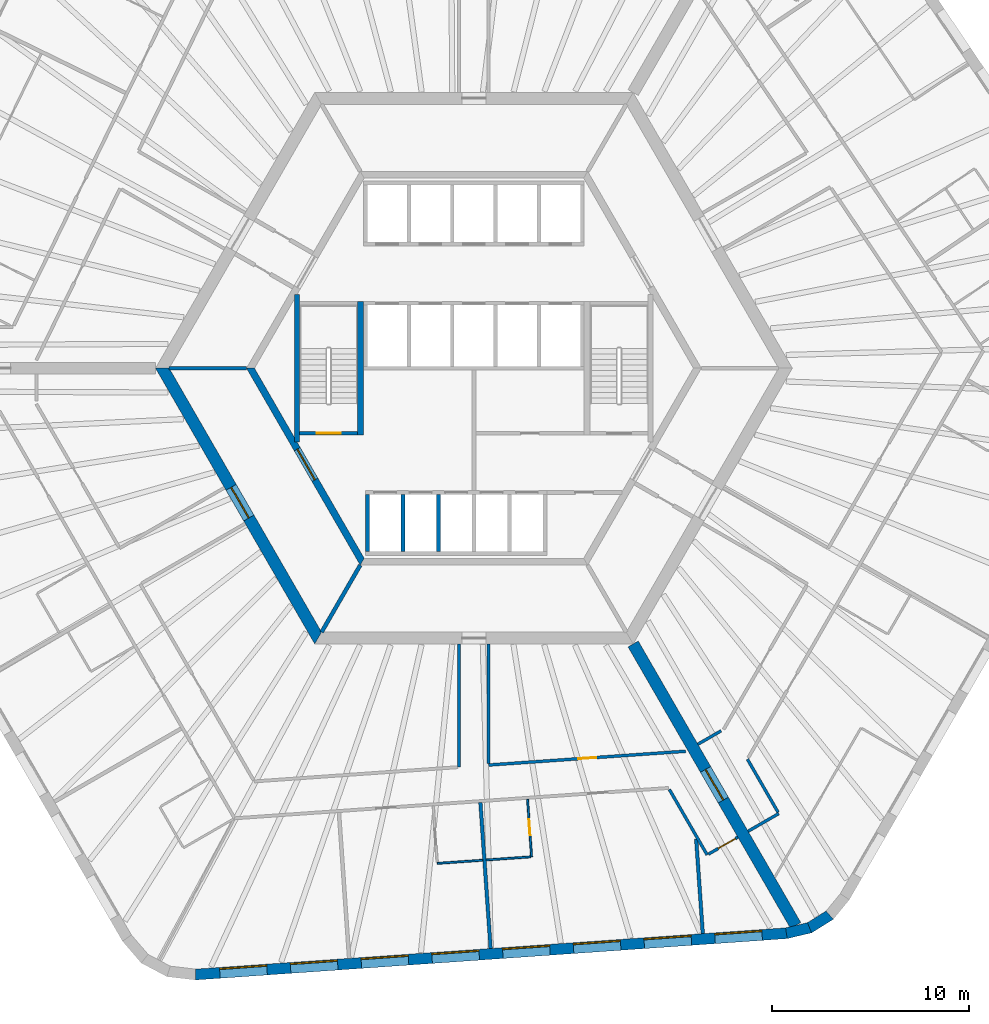
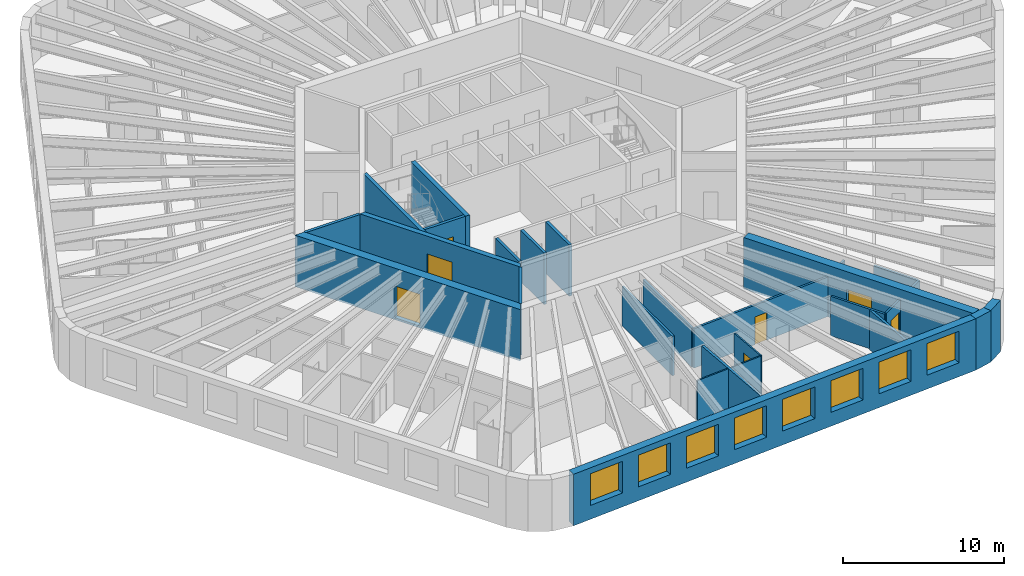
# One storey, part 4 of 12: 27 walls, 8 windows, 7 doors, 15 openings.
"""IFC4 building model written with IfcOpenShell, lengths in metres."""

from ifc_helpers import new_model, si_unit, direction, frame, frame_2d, origin, place, context, subcontext, project, spatial, polyline, rectangle, outline, extrude, material, layer, layer_set, type_object, element, fill, save


model = new_model("IFC4")

# Units and contexts
model_context = context("Model", 3, precision=1e-05, world=origin(), true_north=direction((0.0, 1.0)))
body_context = subcontext(model_context, "Body", "Model", "MODEL_VIEW")
ifc_project = project(units=[si_unit("LENGTHUNIT", "METRE"), si_unit("AREAUNIT", "SQUARE_METRE"), si_unit("VOLUMEUNIT", "CUBIC_METRE"), si_unit("PLANEANGLEUNIT", "RADIAN"), si_unit("MASSUNIT", "GRAM", prefix="KILO")], contexts=[model_context])

# Site, building, storey
site_placement = place(None, origin())
site = spatial("IfcSite", under=ifc_project, at=site_placement, CompositionType="ELEMENT")
building_placement = place(site_placement, origin())
building = spatial("IfcBuilding", under=site, at=building_placement, Name="Tarnside Tower", CompositionType="ELEMENT")
storey_placement = place(building_placement, frame((0.0, 0.0, 72.60009765625)))
storey = spatial("IfcBuildingStorey", under=building, at=storey_placement, Name="L15", CompositionType="ELEMENT", Elevation=72.60009765625)

# Wall
ifc_material_1 = material(Name="Gypsum board partition on steel studs", Category="steel")
ifc_layer_1 = layer(ifc_material_1, 0.10009765625)
ifc_layer_set_1 = layer_set([ifc_layer_1], Name="Bathroom wall 100")
wall_type_1 = type_object("IfcWallType", Name="Bathroom wall 100", PredefinedType="PARTITIONING", material=ifc_layer_set_1)
wall_1_placement = place(storey_placement, frame((0.4423828125, -24.97998046875, 0.0), z_axis=(0.0, 0.0, 1.0), x_axis=(-0.997563824095, -0.069759707979, 0.0)))
element("IfcWall", 1, at=wall_1_placement, inside=storey, type_object=wall_type_1, Name="Bathroom wall 04120", PredefinedType="PARTITIONING", context=body_context, shape_type="SweptSolid", body=[
    extrude(rectangle(XDim=2.309814453125, YDim=0.10009765625, at=frame_2d((1.15478515625, 0.0))), origin(), (0.0, 0.0, 1.0), 2.98779296875),
])

# Wall, opening, door
wall_2_placement = place(storey_placement, frame((2.722412109375, -21.888427734375, 0.0), z_axis=(0.0, 0.0, 1.0), x_axis=(0.069775971057, -0.997562686683, 0.0)))
wall_2 = element("IfcWall", 2, at=wall_2_placement, inside=storey, type_object=wall_type_1, Name="Bathroom wall 04124", PredefinedType="PARTITIONING", context=body_context, shape_type="SweptSolid", body=[
    extrude(rectangle(XDim=2.925048828125, YDim=0.10009765625, at=frame_2d((1.46240234375, 0.0))), origin(), (0.0, 0.0, 1.0), 2.98779296875),
])
opening_1_placement = place(wall_2_placement, frame((1.02490234375, 0.0, 0.0)))
opening_1 = element("IfcOpeningElement", 3, at=opening_1_placement, cuts=wall_2, Name="Opening D-B1", PredefinedType="OPENING", context=body_context, shape_type="SweptSolid", body=[
    extrude(rectangle(XDim=0.800048828125, YDim=2.10009765625, at=frame_2d((0.39990234375, 1.050048828125))), frame((0.0, 0.06005859375, 0.0), z_axis=(0.0, -1.0, 0.0), x_axis=(1.0, 0.0, 0.0)), (0.0, 0.0, 1.0), 0.1201171875),
])
ifc_material_2 = material(Name="Timber door leaf", Category="wood")
door_type_1 = type_object("IfcDoorType", Name="Bathroom door 800", OperationType="NOTDEFINED", PredefinedType="DOOR", material=ifc_material_2)
door_1_placement = place(opening_1_placement, origin())
door_1 = element("IfcDoor", 4, at=door_1_placement, inside=storey, type_object=door_type_1, Name="Bathroom door 04026", OperationType="SINGLE_SWING_RIGHT", OverallHeight=2.10009765625, OverallWidth=0.800048828125, PredefinedType="DOOR", context=body_context, shape_type="SweptSolid", body=[
    extrude(rectangle(XDim=0.800048828125, YDim=2.10009765625, at=frame_2d((0.39990234375, 1.050048828125))), frame((0.0, 0.02490234375, 0.0), z_axis=(0.0, -1.0, 0.0), x_axis=(1.0, 0.0, 0.0)), (0.0, 0.0, 1.0), 0.050048828125),
])
fill(opening_1, door_1)

# Wall
wall_3_placement = place(storey_placement, frame((2.87646484375, -24.809814453125, 0.0), z_axis=(0.0, 0.0, 1.0), x_axis=(-0.997561825928, -0.069788275888, 0.0)))
element("IfcWall", 5, at=wall_3_placement, inside=storey, type_object=wall_type_1, Name="Bathroom wall 04125", PredefinedType="PARTITIONING", context=body_context, shape_type="SweptSolid", body=[
    extrude(rectangle(XDim=2.260009765625, YDim=0.10009765625, at=frame_2d((1.1298828125, 0.0))), origin(), (0.0, 0.0, 1.0), 2.98779296875),
])

# Wall, opening, door
ifc_material_3 = material(Name="Concrete C50/60", Category="concrete")
ifc_layer_2 = layer(ifc_material_3, 0.35009765625)
ifc_layer_set_2 = layer_set([ifc_layer_2], Name="Core block wall 350 C50/60")
wall_type_2 = type_object("IfcWallType", Name="Core block wall 350 C50/60", PredefinedType="SHEAR", material=ifc_layer_set_2)
wall_4_placement = place(storey_placement, frame((-11.344970703125, 0.0, -0.150146484375), z_axis=(0.0, 0.0, 1.0), x_axis=(0.499995046907, -0.866028263435, 0.0)))
wall_4 = element("IfcWall", 6, at=wall_4_placement, inside=storey, type_object=wall_type_2, Name="L15 core block wall face 3", PredefinedType="SHEAR", context=body_context, shape_type="SweptSolid", body=[
    extrude(outline(polyline([(-0.10107421875, -0.175048828125), (11.44580078125, -0.175048828125), (11.24365234375, 0.175048828125), (0.10107421875, 0.175048828125), (-0.10107421875, -0.175048828125)])), origin(), (0.0, 0.0, 1.0), 3.900146484375),
])
opening_2_placement = place(wall_4_placement, frame((4.74365234375, 0.0, 0.14990234375)))
opening_2 = element("IfcOpeningElement", 7, at=opening_2_placement, cuts=wall_4, Name="Opening CD-FFL", PredefinedType="OPENING", context=body_context, shape_type="SweptSolid", body=[
    extrude(rectangle(XDim=1.800048828125, YDim=2.39990234375, at=frame_2d((0.89990234375, 1.199951171875))), frame((0.0, 0.18505859375, 0.0), z_axis=(0.0, -1.0, 0.0), x_axis=(1.0, 0.0, 0.0)), (0.0, 0.0, 1.0), 0.3701171875),
])
ifc_material_4 = material(Name="Steel fire door", Category="steel")
door_type_2 = type_object("IfcDoorType", Name="Firefighting lobby double door FD60S 1800x2400", OperationType="NOTDEFINED", PredefinedType="DOOR", material=ifc_material_4)
door_2_placement = place(opening_2_placement, origin())
door_2 = element("IfcDoor", 8, at=door_2_placement, inside=storey, type_object=door_type_2, Name="L15 lobby block door P3", OperationType="DOUBLE_DOOR_SINGLE_SWING", OverallHeight=2.39990234375, OverallWidth=1.800048828125, PredefinedType="DOOR", context=body_context, shape_type="SweptSolid", body=[
    extrude(rectangle(XDim=1.800048828125, YDim=2.39990234375, at=frame_2d((0.89990234375, 1.199951171875))), frame((0.0, 0.02490234375, 0.0), z_axis=(0.0, -1.0, 0.0), x_axis=(1.0, 0.0, 0.0)), (0.0, 0.0, 1.0), 0.050048828125),
])
fill(opening_2, door_2)

ifc_material_5 = material(Name="Concrete C80/95", Category="concrete")
ifc_layer_3 = layer(ifc_material_5, 0.60009765625)
ifc_layer_set_3 = layer_set([ifc_layer_3], Name="Core wall Z1 600 C80/95")
wall_type_3 = type_object("IfcWallType", Name="Core wall Z1 600 C80/95", PredefinedType="SHEAR", material=ifc_layer_set_3)
wall_5_placement = place(storey_placement, frame((-15.8193359375, 0.0, -0.150146484375), z_axis=(0.0, 0.0, 1.0), x_axis=(0.499999880136, -0.866025472988, 0.0)))
wall_5 = element("IfcWall", 9, at=wall_5_placement, inside=storey, type_object=wall_type_3, Name="L15 core wall face 3", PredefinedType="SHEAR", context=body_context, shape_type="SweptSolid", body=[
    extrude(outline(polyline([(-0.17333984375, -0.300048828125), (15.99267578125, -0.300048828125), (15.64599609375, 0.300048828125), (0.17333984375, 0.300048828125), (-0.17333984375, -0.300048828125)])), origin(), (0.0, 0.0, 1.0), 3.900146484375),
])
opening_3_placement = place(wall_5_placement, frame((6.980712890625, 0.0, 0.14990234375)))
opening_3 = element("IfcOpeningElement", 10, at=opening_3_placement, cuts=wall_5, Name="Opening CD-FFL", PredefinedType="OPENING", context=body_context, shape_type="SweptSolid", body=[
    extrude(rectangle(XDim=1.800048828125, YDim=2.39990234375, at=frame_2d((0.89990234375, 1.199951171875))), frame((0.0, 0.31005859375, 0.0), z_axis=(0.0, -1.0, 0.0), x_axis=(1.0, 0.0, 0.0)), (0.0, 0.0, 1.0), 0.6201171875),
])
door_3_placement = place(opening_3_placement, origin())
door_3 = element("IfcDoor", 11, at=door_3_placement, inside=storey, type_object=door_type_2, Name="L15 core door P3", OperationType="DOUBLE_DOOR_SINGLE_SWING", OverallHeight=2.39990234375, OverallWidth=1.800048828125, PredefinedType="DOOR", context=body_context, shape_type="SweptSolid", body=[
    extrude(rectangle(XDim=1.800048828125, YDim=2.39990234375, at=frame_2d((0.89990234375, 1.199951171875))), frame((0.0, 0.02490234375, 0.0), z_axis=(0.0, -1.0, 0.0), x_axis=(1.0, 0.0, 0.0)), (0.0, 0.0, 1.0), 0.050048828125),
])
fill(opening_3, door_3)

wall_6_placement = place(storey_placement, frame((8.0830078125, -14.0, -0.150146484375), z_axis=(0.0, 0.0, 1.0), x_axis=(0.499997680643, -0.866026742862, 0.0)))
wall_6 = element("IfcWall", 12, at=wall_6_placement, inside=storey, type_object=wall_type_3, Name="L15 spine wall 3", PredefinedType="SHEAR", context=body_context, shape_type="SweptSolid", body=[
    extrude(rectangle(XDim=16.5087890625, YDim=0.60009765625, at=frame_2d((8.25439453125, 0.0))), origin(), (0.0, 0.0, 1.0), 3.900146484375),
])
opening_4_placement = place(wall_6_placement, frame((7.3544921875, 0.0, 0.14990234375)))
opening_4 = element("IfcOpeningElement", 13, at=opening_4_placement, cuts=wall_6, Name="Opening CD-SPN", PredefinedType="OPENING", context=body_context, shape_type="SweptSolid", body=[
    extrude(rectangle(XDim=1.800048828125, YDim=2.39990234375, at=frame_2d((0.89990234375, 1.199951171875))), frame((0.0, 0.31005859375, 0.0), z_axis=(0.0, -1.0, 0.0), x_axis=(1.0, 0.0, 0.0)), (0.0, 0.0, 1.0), 0.6201171875),
])
door_type_3 = type_object("IfcDoorType", Name="Spine passage double door FD60 1800x2400", OperationType="NOTDEFINED", PredefinedType="DOOR", material=ifc_material_4)
door_4_placement = place(opening_4_placement, origin())
door_4 = element("IfcDoor", 14, at=door_4_placement, inside=storey, type_object=door_type_3, Name="L15 spine passage door 3", OperationType="DOUBLE_DOOR_SINGLE_SWING", OverallHeight=2.39990234375, OverallWidth=1.800048828125, PredefinedType="DOOR", context=body_context, shape_type="SweptSolid", body=[
    extrude(rectangle(XDim=1.800048828125, YDim=2.39990234375, at=frame_2d((0.89990234375, 1.199951171875))), frame((0.0, 0.02490234375, 0.0), z_axis=(0.0, -1.0, 0.0), x_axis=(1.0, 0.0, 0.0)), (0.0, 0.0, 1.0), 0.050048828125),
])
fill(opening_4, door_4)

# Wall
ifc_layer_4 = layer(ifc_material_1, 0.14990234375)
ifc_layer_set_4 = layer_set([ifc_layer_4], Name="Corridor wall 150 EI 60")
wall_type_4 = type_object("IfcWallType", Name="Corridor wall 150 EI 60", PredefinedType="PARTITIONING", material=ifc_layer_set_4)
wall_7_placement = place(storey_placement, frame((9.921630859375, -21.385009765625, 0.0), z_axis=(0.0, 0.0, 1.0), x_axis=(0.500023335103, -0.866011930837, 0.0)))
element("IfcWall", 15, at=wall_7_placement, inside=storey, type_object=wall_type_4, Name="Corridor wall 04037", PredefinedType="PARTITIONING", context=body_context, shape_type="SweptSolid", body=[
    extrude(rectangle(XDim=3.839599609375, YDim=0.14990234375, at=frame_2d((1.919921875, 0.0))), origin(), (0.0, 0.0, 1.0), 2.98779296875),
])

# Wall, opening, door
wall_8_placement = place(storey_placement, frame((11.906494140625, -24.672607421875, 0.0), z_axis=(0.0, 0.0, 1.0), x_axis=(0.866013532718, 0.500020560727, 0.0)))
wall_8 = element("IfcWall", 16, at=wall_8_placement, inside=storey, type_object=wall_type_4, Name="Corridor wall 04040", PredefinedType="PARTITIONING", context=body_context, shape_type="SweptSolid", body=[
    extrude(rectangle(XDim=1.72509765625, YDim=0.14990234375, at=frame_2d((0.862548828125, 0.0))), origin(), (0.0, 0.0, 1.0), 2.98779296875),
])
opening_5_placement = place(wall_8_placement, frame((0.574951171875, 0.0, 0.0)))
opening_5 = element("IfcOpeningElement", 17, at=opening_5_placement, cuts=wall_8, Name="Opening D-E1", PredefinedType="OPENING", context=body_context, shape_type="SweptSolid", body=[
    extrude(rectangle(XDim=1.0, YDim=2.10009765625, at=frame_2d((0.5, 1.050048828125))), frame((0.0, 0.0849609375, 0.0), z_axis=(0.0, -1.0, 0.0), x_axis=(1.0, 0.0, 0.0)), (0.0, 0.0, 1.0), 0.169921875),
])
door_type_4 = type_object("IfcDoorType", Name="Unit entrance door 1000 FD30S", OperationType="NOTDEFINED", PredefinedType="DOOR", material=ifc_material_2)
door_5_placement = place(opening_5_placement, origin())
door_5 = element("IfcDoor", 18, at=door_5_placement, inside=storey, type_object=door_type_4, Name="Unit door 04027", OperationType="SINGLE_SWING_LEFT", OverallHeight=2.10009765625, OverallWidth=1.0, PredefinedType="DOOR", context=body_context, shape_type="SweptSolid", body=[
    extrude(rectangle(XDim=1.0, YDim=2.10009765625, at=frame_2d((0.5, 1.050048828125))), frame((0.0, 0.02490234375, 0.0), z_axis=(0.0, -1.0, 0.0), x_axis=(1.0, 0.0, 0.0)), (0.0, 0.0, 1.0), 0.050048828125),
])
fill(opening_5, door_5)

# Wall
wall_9_placement = place(storey_placement, frame((-0.75, -14.0, 0.0), z_axis=(0.0, 0.0, 1.0), x_axis=(0.0, -1.0, 0.0)))
element("IfcWall", 19, at=wall_9_placement, inside=storey, type_object=wall_type_4, Name="Corridor wall 04044", PredefinedType="PARTITIONING", context=body_context, shape_type="SweptSolid", body=[
    extrude(rectangle(XDim=6.251708984375, YDim=0.14990234375, at=frame_2d((3.1259765625, 0.0))), origin(), (0.0, 0.0, 1.0), 2.98779296875),
])

# Wall, opening, door
wall_10_placement = place(storey_placement, frame((10.75439453125, -19.447265625, 0.0), z_axis=(0.0, 0.0, 1.0), x_axis=(-0.997564830966, -0.069745308232, 0.0)))
wall_10 = element("IfcWall", 20, at=wall_10_placement, inside=storey, type_object=wall_type_4, Name="Corridor wall 04048", PredefinedType="PARTITIONING", context=body_context, shape_type="SweptSolid", body=[
    extrude(rectangle(XDim=10.02880859375, YDim=0.14990234375, at=frame_2d((5.014404296875, 0.0))), origin(), (0.0, 0.0, 1.0), 2.98779296875),
])
opening_6_placement = place(wall_10_placement, frame((4.564453125, 0.0, 0.0)))
opening_6 = element("IfcOpeningElement", 21, at=opening_6_placement, cuts=wall_10, Name="Opening D-S1", PredefinedType="OPENING", context=body_context, shape_type="SweptSolid", body=[
    extrude(rectangle(XDim=0.89990234375, YDim=2.10009765625, at=frame_2d((0.449951171875, 1.050048828125))), frame((0.0, 0.0849609375, 0.0), z_axis=(0.0, -1.0, 0.0), x_axis=(1.0, 0.0, 0.0)), (0.0, 0.0, 1.0), 0.169921875),
])
door_type_5 = type_object("IfcDoorType", Name="Service room door 900 FD30S", OperationType="NOTDEFINED", PredefinedType="DOOR", material=ifc_material_2)
door_6_placement = place(opening_6_placement, origin())
door_6 = element("IfcDoor", 22, at=door_6_placement, inside=storey, type_object=door_type_5, Name="Service door 04046", OperationType="SINGLE_SWING_LEFT", OverallHeight=2.10009765625, OverallWidth=0.89990234375, PredefinedType="DOOR", context=body_context, shape_type="SweptSolid", body=[
    extrude(rectangle(XDim=0.89990234375, YDim=2.10009765625, at=frame_2d((0.449951171875, 1.050048828125))), frame((0.0, 0.02490234375, 0.0), z_axis=(0.0, -1.0, 0.0), x_axis=(1.0, 0.0, 0.0)), (0.0, 0.0, 1.0), 0.050048828125),
])
fill(opening_6, door_6)

# Walls
wall_11_placement = place(storey_placement, frame((0.75, -20.071533203125, 0.0), z_axis=(0.0, 0.0, 1.0), x_axis=(0.0, 1.0, 0.0)))
element("IfcWall", 23, at=wall_11_placement, inside=storey, type_object=wall_type_4, Name="Corridor wall 04049", PredefinedType="PARTITIONING", context=body_context, shape_type="SweptSolid", body=[
    extrude(rectangle(XDim=6.071533203125, YDim=0.14990234375, at=frame_2d((3.03564453125, 0.0))), origin(), (0.0, 0.0, 1.0), 2.98779296875),
])
wall_12_placement = place(storey_placement, frame((13.919921875, -23.510009765625, 0.0), z_axis=(0.0, 0.0, 1.0), x_axis=(0.866047807691, 0.499961193289, 0.0)))
element("IfcWall", 24, at=wall_12_placement, inside=storey, type_object=wall_type_4, Name="Corridor wall 04050", PredefinedType="PARTITIONING", context=body_context, shape_type="SweptSolid", body=[
    extrude(rectangle(XDim=1.800048828125, YDim=0.14990234375, at=frame_2d((0.89990234375, 0.0))), origin(), (0.0, 0.0, 1.0), 2.98779296875),
])
wall_13_placement = place(storey_placement, frame((15.44140625, -22.545166015625, 0.0), z_axis=(0.0, 0.0, 1.0), x_axis=(-0.500037089193, 0.86600398927, 0.0)))
element("IfcWall", 25, at=wall_13_placement, inside=storey, type_object=wall_type_4, Name="Corridor wall 04051", PredefinedType="PARTITIONING", context=body_context, shape_type="SweptSolid", body=[
    extrude(rectangle(XDim=3.112060546875, YDim=0.14990234375, at=frame_2d((1.55615234375, 0.0))), origin(), (0.0, 0.0, 1.0), 2.98779296875),
])
wall_14_placement = place(storey_placement, frame((12.552001953125, -18.409423828125, 0.0), z_axis=(0.0, 0.0, 1.0), x_axis=(-0.866078408764, -0.499908181442, 0.0)))
element("IfcWall", 26, at=wall_14_placement, inside=storey, type_object=wall_type_4, Name="Corridor wall 04073", PredefinedType="PARTITIONING", context=body_context, shape_type="SweptSolid", body=[
    extrude(rectangle(XDim=1.365478515625, YDim=0.14990234375, at=frame_2d((0.6826171875, 0.0))), origin(), (0.0, 0.0, 1.0), 2.98779296875),
])
ifc_layer_5 = layer(ifc_material_1, 0.179931640625)
ifc_layer_set_5 = layer_set([ifc_layer_5], Name="Demising wall 180 EI 60")
wall_type_5 = type_object("IfcWallType", Name="Demising wall 180 EI 60", PredefinedType="PARTITIONING", material=ifc_layer_set_5)
wall_15_placement = place(storey_placement, frame((0.84619140625, -29.462646484375, 0.0), z_axis=(0.0, 0.0, 1.0), x_axis=(-0.069774810252, 0.997562767877, 0.0)))
element("IfcWall", 27, at=wall_15_placement, inside=storey, type_object=wall_type_5, Name="Demising wall 04122", PredefinedType="PARTITIONING", context=body_context, shape_type="SweptSolid", body=[
    extrude(rectangle(XDim=7.4248046875, YDim=0.179931640625, at=frame_2d((3.71240234375, 0.0))), origin(), (0.0, 0.0, 1.0), 2.98779296875),
])
wall_16_placement = place(storey_placement, frame((11.619873046875, -28.70947265625, 0.0), z_axis=(0.0, 0.0, 1.0), x_axis=(-0.069777301394, 0.99756259363, 0.0)))
element("IfcWall", 28, at=wall_16_placement, inside=storey, type_object=wall_type_5, Name="Demising wall 04126", PredefinedType="PARTITIONING", context=body_context, shape_type="SweptSolid", body=[
    extrude(rectangle(XDim=4.828369140625, YDim=0.179931640625, at=frame_2d((2.4140625, 0.0))), origin(), (0.0, 0.0, 1.0), 2.98779296875),
])
ifc_material_6 = material(Name="Concrete C40/50", Category="concrete")
ifc_layer_6 = layer(ifc_material_6, 0.199951171875)
ifc_layer_set_6 = layer_set([ifc_layer_6], Name="Lift shaft wall 200 C40/50")
wall_type_6 = type_object("IfcWallType", Name="Lift shaft wall 200 C40/50", PredefinedType="SHEAR", material=ifc_layer_set_6)
for number, where, z_axis, x_axis, name in (
    (29, (-5.39990234375, -9.300048828125, -0.25), (0.0, 0.0, 1.0), (0.0, 1.0, 0.0), "L15 lift shaft partition R41"),
    (30, (-3.60009765625, -9.300048828125, -0.25), (0.0, 0.0, 1.0), (0.0, 1.0, 0.0), "L15 lift shaft partition R42"),
    (31, (-1.800048828125, -9.300048828125, -0.25), (0.0, 0.0, 1.0), (0.0, 1.0, 0.0), "L15 lift shaft partition R43"),
):
    element("IfcWall", number, at=place(storey_placement, frame(where, z_axis=z_axis, x_axis=x_axis)), inside=storey, type_object=wall_type_6, Name=name, PredefinedType="SHEAR", context=body_context, shape_type="SweptSolid", body=[
        extrude(rectangle(XDim=2.900146484375, YDim=0.199951171875, at=frame_2d((1.4501953125, 0.0))), origin(), (0.0, 0.0, 1.0), 3.89990234375),
    ])
wall_17_placement = place(storey_placement, frame((-11.547119140625, 0.0, -0.150146484375), z_axis=(0.0, 0.0, 1.0), x_axis=(-1.0, 0.0, 0.0)))
element("IfcWall", 32, at=wall_17_placement, inside=storey, type_object=wall_type_6, Name="L15 core partition AR180", PredefinedType="SHEAR", context=body_context, shape_type="SweptSolid", body=[
    extrude(rectangle(XDim=3.92578125, YDim=0.199951171875, at=frame_2d((1.962890625, 0.0))), origin(), (0.0, 0.0, 1.0), 3.900146484375),
])
wall_18_placement = place(storey_placement, frame((-5.7734375, -10.0, -0.150146484375), z_axis=(0.0, 0.0, 1.0), x_axis=(-0.500038251005, -0.86600331843, 0.0)))
element("IfcWall", 33, at=wall_18_placement, inside=storey, type_object=wall_type_6, Name="L15 core partition AR240", PredefinedType="SHEAR", context=body_context, shape_type="SweptSolid", body=[
    extrude(rectangle(XDim=3.926025390625, YDim=0.199951171875, at=frame_2d((1.962890625, 0.0))), origin(), (0.0, 0.0, 1.0), 3.900146484375),
])

# Wall, opening, door
wall_19_placement = place(storey_placement, frame((-8.85009765625, -3.300048828125, -0.25), z_axis=(0.0, 0.0, 1.0), x_axis=(1.0, 0.0, 0.0)))
wall_19 = element("IfcWall", 34, at=wall_19_placement, inside=storey, type_object=wall_type_6, Name="L15 stair 2 enclosure cap wall s", PredefinedType="SHEAR", context=body_context, shape_type="SweptSolid", body=[
    extrude(rectangle(XDim=2.9501953125, YDim=0.199951171875, at=frame_2d((1.47509765625, 0.0))), origin(), (0.0, 0.0, 1.0), 3.89990234375),
])
opening_7_placement = place(wall_19_placement, frame((0.875, 0.0, 0.25)))
opening_7 = element("IfcOpeningElement", 35, at=opening_7_placement, cuts=wall_19, Name="Opening CD-STR", PredefinedType="OPENING", context=body_context, shape_type="SweptSolid", body=[
    extrude(rectangle(XDim=1.199951171875, YDim=2.39990234375, at=frame_2d((0.60009765625, 1.199951171875))), frame((0.0, 0.10986328125, 0.0), z_axis=(0.0, -1.0, 0.0), x_axis=(1.0, 0.0, 0.0)), (0.0, 0.0, 1.0), 0.219970703125),
])
door_type_6 = type_object("IfcDoorType", Name="Stair door FD60S 1200x2400", OperationType="NOTDEFINED", PredefinedType="DOOR", material=ifc_material_4)
door_7_placement = place(opening_7_placement, origin())
door_7 = element("IfcDoor", 36, at=door_7_placement, inside=storey, type_object=door_type_6, Name="L15 stair 2 door", OperationType="SINGLE_SWING_LEFT", OverallHeight=2.39990234375, OverallWidth=1.199951171875, PredefinedType="DOOR", context=body_context, shape_type="SweptSolid", body=[
    extrude(rectangle(XDim=1.199951171875, YDim=2.39990234375, at=frame_2d((0.60009765625, 1.199951171875))), frame((0.0, 0.02490234375, 0.0), z_axis=(0.0, -1.0, 0.0), x_axis=(1.0, 0.0, 0.0)), (0.0, 0.0, 1.0), 0.050048828125),
])
fill(opening_7, door_7)

# Walls
ifc_layer_7 = layer(ifc_material_6, 0.25)
ifc_layer_set_7 = layer_set([ifc_layer_7], Name="Stair enclosure wall 250 C40/50")
wall_type_7 = type_object("IfcWallType", Name="Stair enclosure wall 250 C40/50", PredefinedType="SHEAR", material=ifc_layer_set_7)
wall_20_placement = place(storey_placement, frame((-8.97509765625, -3.7548828125, -0.25), z_axis=(0.0, 0.0, 1.0), x_axis=(0.0, 1.0, 0.0)))
element("IfcWall", 37, at=wall_20_placement, inside=storey, type_object=wall_type_7, Name="L15 stair 2 enclosure wall outer", PredefinedType="SHEAR", context=body_context, shape_type="SweptSolid", body=[
    extrude(rectangle(XDim=7.509765625, YDim=0.25, at=frame_2d((3.7548828125, 0.0))), origin(), (0.0, 0.0, 1.0), 3.89990234375),
])
ifc_layer_8 = layer(ifc_material_6, 0.300048828125)
ifc_layer_set_8 = layer_set([ifc_layer_8], Name="Stair enclosure wall 300 C40/50")
wall_type_8 = type_object("IfcWallType", Name="Stair enclosure wall 300 C40/50", PredefinedType="SHEAR", material=ifc_layer_set_8)
wall_21_placement = place(storey_placement, frame((-5.75, -3.39990234375, -0.25), z_axis=(0.0, 0.0, 1.0), x_axis=(0.0, 1.0, 0.0)))
element("IfcWall", 38, at=wall_21_placement, inside=storey, type_object=wall_type_8, Name="L15 stair 2 enclosure wall inner", PredefinedType="SHEAR", context=body_context, shape_type="SweptSolid", body=[
    extrude(rectangle(XDim=6.7998046875, YDim=0.300048828125, at=frame_2d((3.39990234375, 0.0))), origin(), (0.0, 0.0, 1.0), 3.89990234375),
])

# Wall, openings, windows
ifc_material_7 = material(Name="Facing brick", Category="masonry")
ifc_layer_9 = layer(ifc_material_7, 0.10205078125)
ifc_material_8 = material(Name="Concrete C60/75 precast", Category="concrete")
ifc_layer_10 = layer(ifc_material_8, 0.347900390625)
ifc_material_9 = material(Name="Mineral wool insulation")
ifc_layer_11 = layer(ifc_material_9, 0.10009765625)
ifc_layer_set_9 = layer_set([ifc_layer_9, ifc_layer_10, ifc_layer_11], Name="Tube wall 550 brick faced")
wall_type_9 = type_object("IfcWallType", Name="Tube wall 550 brick faced", PredefinedType="SOLIDWALL", material=ifc_layer_set_9)
wall_22_placement = place(storey_placement, frame((-14.133544921875, -30.785888671875, -0.150146484375), z_axis=(0.0, 0.0, 1.0), x_axis=(0.997564037441, 0.069756657061, 0.0)))
wall_22 = element("IfcWall", 39, at=wall_22_placement, inside=storey, type_object=wall_type_9, Name="Tube wall L15 F4 flush 12", PredefinedType="SOLIDWALL", context=body_context, shape_type="SweptSolid", body=[
    extrude(outline(polyline([(-0.025634765625, -0.27490234375), (30.093505859375, -0.27490234375), (30.048583984375, 0.27490234375), (0.025634765625, 0.27490234375), (-0.025634765625, -0.27490234375)])), origin(), (0.0, 0.0, 1.0), 3.900146484375),
])
opening_8_placement = place(wall_22_placement, frame((1.235595703125, 0.0, 1.050048828125)))
opening_8 = element("IfcOpeningElement", 40, at=opening_8_placement, cuts=wall_22, Name="Opening WH", PredefinedType="OPENING", context=body_context, shape_type="SweptSolid", body=[
    extrude(rectangle(XDim=2.39990234375, YDim=2.39990234375, at=frame_2d((1.199951171875, 1.199951171875))), frame((0.0, 0.28515625, 0.0), z_axis=(0.0, -1.0, 0.0), x_axis=(1.0, 0.0, 0.0)), (0.0, 0.0, 1.0), 0.570068359375),
])
opening_9_placement = place(wall_22_placement, frame((4.83544921875, 0.0, 1.050048828125)))
opening_9 = element("IfcOpeningElement", 41, at=opening_9_placement, cuts=wall_22, Name="Opening WH", PredefinedType="OPENING", context=body_context, shape_type="SweptSolid", body=[
    extrude(rectangle(XDim=2.39990234375, YDim=2.39990234375, at=frame_2d((1.199951171875, 1.199951171875))), frame((0.0, 0.28515625, 0.0), z_axis=(0.0, -1.0, 0.0), x_axis=(1.0, 0.0, 0.0)), (0.0, 0.0, 1.0), 0.570068359375),
])
opening_10_placement = place(wall_22_placement, frame((8.435546875, 0.0, 1.050048828125)))
opening_10 = element("IfcOpeningElement", 42, at=opening_10_placement, cuts=wall_22, Name="Opening WH", PredefinedType="OPENING", context=body_context, shape_type="SweptSolid", body=[
    extrude(rectangle(XDim=2.39990234375, YDim=2.39990234375, at=frame_2d((1.199951171875, 1.199951171875))), frame((0.0, 0.28515625, 0.0), z_axis=(0.0, -1.0, 0.0), x_axis=(1.0, 0.0, 0.0)), (0.0, 0.0, 1.0), 0.570068359375),
])
opening_11_placement = place(wall_22_placement, frame((12.035400390625, 0.0, 1.050048828125)))
opening_11 = element("IfcOpeningElement", 43, at=opening_11_placement, cuts=wall_22, Name="Opening WH", PredefinedType="OPENING", context=body_context, shape_type="SweptSolid", body=[
    extrude(rectangle(XDim=2.39990234375, YDim=2.39990234375, at=frame_2d((1.199951171875, 1.199951171875))), frame((0.0, 0.28515625, 0.0), z_axis=(0.0, -1.0, 0.0), x_axis=(1.0, 0.0, 0.0)), (0.0, 0.0, 1.0), 0.570068359375),
])
opening_12_placement = place(wall_22_placement, frame((15.635498046875, 0.0, 1.050048828125)))
opening_12 = element("IfcOpeningElement", 44, at=opening_12_placement, cuts=wall_22, Name="Opening WH", PredefinedType="OPENING", context=body_context, shape_type="SweptSolid", body=[
    extrude(rectangle(XDim=2.39990234375, YDim=2.39990234375, at=frame_2d((1.199951171875, 1.199951171875))), frame((0.0, 0.28515625, 0.0), z_axis=(0.0, -1.0, 0.0), x_axis=(1.0, 0.0, 0.0)), (0.0, 0.0, 1.0), 0.570068359375),
])
opening_13_placement = place(wall_22_placement, frame((19.235595703125, 0.0, 1.050048828125)))
opening_13 = element("IfcOpeningElement", 45, at=opening_13_placement, cuts=wall_22, Name="Opening WH", PredefinedType="OPENING", context=body_context, shape_type="SweptSolid", body=[
    extrude(rectangle(XDim=2.39990234375, YDim=2.39990234375, at=frame_2d((1.199951171875, 1.199951171875))), frame((0.0, 0.28515625, 0.0), z_axis=(0.0, -1.0, 0.0), x_axis=(1.0, 0.0, 0.0)), (0.0, 0.0, 1.0), 0.570068359375),
])
opening_14_placement = place(wall_22_placement, frame((22.83544921875, 0.0, 1.050048828125)))
opening_14 = element("IfcOpeningElement", 46, at=opening_14_placement, cuts=wall_22, Name="Opening WH", PredefinedType="OPENING", context=body_context, shape_type="SweptSolid", body=[
    extrude(rectangle(XDim=2.39990234375, YDim=2.39990234375, at=frame_2d((1.199951171875, 1.199951171875))), frame((0.0, 0.28515625, 0.0), z_axis=(0.0, -1.0, 0.0), x_axis=(1.0, 0.0, 0.0)), (0.0, 0.0, 1.0), 0.570068359375),
])
opening_15_placement = place(wall_22_placement, frame((26.435546875, 0.0, 1.050048828125)))
opening_15 = element("IfcOpeningElement", 47, at=opening_15_placement, cuts=wall_22, Name="Opening WH", PredefinedType="OPENING", context=body_context, shape_type="SweptSolid", body=[
    extrude(rectangle(XDim=2.39990234375, YDim=2.39990234375, at=frame_2d((1.199951171875, 1.199951171875))), frame((0.0, 0.28515625, 0.0), z_axis=(0.0, -1.0, 0.0), x_axis=(1.0, 0.0, 0.0)), (0.0, 0.0, 1.0), 0.570068359375),
])
ifc_material_10 = material(Name="Aluminium-framed double glazing", Category="aluminium")
window_type = type_object("IfcWindowType", Name="Hotel window 2400 x 2400", PartitioningType="DOUBLE_PANEL_VERTICAL", PredefinedType="WINDOW", material=ifc_material_10)
window_1_placement = place(opening_8_placement, frame((0.0, 0.205078125, 0.0)))
window_1 = element("IfcWindow", 48, at=window_1_placement, inside=storey, type_object=window_type, Name="E.WN.L15.F4.00", OverallHeight=2.39990234375, OverallWidth=2.39990234375, PartitioningType="DOUBLE_PANEL_VERTICAL", PredefinedType="WINDOW", context=body_context, shape_type="SweptSolid", body=[
    extrude(rectangle(XDim=2.39990234375, YDim=2.39990234375, at=frame_2d((1.199951171875, 1.199951171875))), frame((0.0, 0.030029296875, 0.0), z_axis=(0.0, -1.0, 0.0), x_axis=(1.0, 0.0, 0.0)), (0.0, 0.0, 1.0), 0.06005859375),
])
fill(opening_8, window_1)
window_2_placement = place(opening_9_placement, frame((0.0, 0.205078125, 0.0)))
window_2 = element("IfcWindow", 49, at=window_2_placement, inside=storey, type_object=window_type, Name="E.WN.L15.F4.01", OverallHeight=2.39990234375, OverallWidth=2.39990234375, PartitioningType="DOUBLE_PANEL_VERTICAL", PredefinedType="WINDOW", context=body_context, shape_type="SweptSolid", body=[
    extrude(rectangle(XDim=2.39990234375, YDim=2.39990234375, at=frame_2d((1.199951171875, 1.199951171875))), frame((0.0, 0.030029296875, 0.0), z_axis=(0.0, -1.0, 0.0), x_axis=(1.0, 0.0, 0.0)), (0.0, 0.0, 1.0), 0.06005859375),
])
fill(opening_9, window_2)
window_3_placement = place(opening_10_placement, frame((0.0, 0.205078125, 0.0)))
window_3 = element("IfcWindow", 50, at=window_3_placement, inside=storey, type_object=window_type, Name="E.WN.L15.F4.02", OverallHeight=2.39990234375, OverallWidth=2.39990234375, PartitioningType="DOUBLE_PANEL_VERTICAL", PredefinedType="WINDOW", context=body_context, shape_type="SweptSolid", body=[
    extrude(rectangle(XDim=2.39990234375, YDim=2.39990234375, at=frame_2d((1.199951171875, 1.199951171875))), frame((0.0, 0.030029296875, 0.0), z_axis=(0.0, -1.0, 0.0), x_axis=(1.0, 0.0, 0.0)), (0.0, 0.0, 1.0), 0.06005859375),
])
fill(opening_10, window_3)
window_4_placement = place(opening_11_placement, frame((0.0, 0.205078125, 0.0)))
window_4 = element("IfcWindow", 51, at=window_4_placement, inside=storey, type_object=window_type, Name="E.WN.L15.F4.03", OverallHeight=2.39990234375, OverallWidth=2.39990234375, PartitioningType="DOUBLE_PANEL_VERTICAL", PredefinedType="WINDOW", context=body_context, shape_type="SweptSolid", body=[
    extrude(rectangle(XDim=2.39990234375, YDim=2.39990234375, at=frame_2d((1.199951171875, 1.199951171875))), frame((0.0, 0.030029296875, 0.0), z_axis=(0.0, -1.0, 0.0), x_axis=(1.0, 0.0, 0.0)), (0.0, 0.0, 1.0), 0.06005859375),
])
fill(opening_11, window_4)
window_5_placement = place(opening_12_placement, frame((0.0, 0.205078125, 0.0)))
window_5 = element("IfcWindow", 52, at=window_5_placement, inside=storey, type_object=window_type, Name="E.WN.L15.F4.04", OverallHeight=2.39990234375, OverallWidth=2.39990234375, PartitioningType="DOUBLE_PANEL_VERTICAL", PredefinedType="WINDOW", context=body_context, shape_type="SweptSolid", body=[
    extrude(rectangle(XDim=2.39990234375, YDim=2.39990234375, at=frame_2d((1.199951171875, 1.199951171875))), frame((0.0, 0.030029296875, 0.0), z_axis=(0.0, -1.0, 0.0), x_axis=(1.0, 0.0, 0.0)), (0.0, 0.0, 1.0), 0.06005859375),
])
fill(opening_12, window_5)
window_6_placement = place(opening_13_placement, frame((0.0, 0.205078125, 0.0)))
window_6 = element("IfcWindow", 53, at=window_6_placement, inside=storey, type_object=window_type, Name="E.WN.L15.F4.05", OverallHeight=2.39990234375, OverallWidth=2.39990234375, PartitioningType="DOUBLE_PANEL_VERTICAL", PredefinedType="WINDOW", context=body_context, shape_type="SweptSolid", body=[
    extrude(rectangle(XDim=2.39990234375, YDim=2.39990234375, at=frame_2d((1.199951171875, 1.199951171875))), frame((0.0, 0.030029296875, 0.0), z_axis=(0.0, -1.0, 0.0), x_axis=(1.0, 0.0, 0.0)), (0.0, 0.0, 1.0), 0.06005859375),
])
fill(opening_13, window_6)
window_7_placement = place(opening_14_placement, frame((0.0, 0.205078125, 0.0)))
window_7 = element("IfcWindow", 54, at=window_7_placement, inside=storey, type_object=window_type, Name="E.WN.L15.F4.06", OverallHeight=2.39990234375, OverallWidth=2.39990234375, PartitioningType="DOUBLE_PANEL_VERTICAL", PredefinedType="WINDOW", context=body_context, shape_type="SweptSolid", body=[
    extrude(rectangle(XDim=2.39990234375, YDim=2.39990234375, at=frame_2d((1.199951171875, 1.199951171875))), frame((0.0, 0.030029296875, 0.0), z_axis=(0.0, -1.0, 0.0), x_axis=(1.0, 0.0, 0.0)), (0.0, 0.0, 1.0), 0.06005859375),
])
fill(opening_14, window_7)
window_8_placement = place(opening_15_placement, frame((0.0, 0.205078125, 0.0)))
window_8 = element("IfcWindow", 55, at=window_8_placement, inside=storey, type_object=window_type, Name="E.WN.L15.F4.07", OverallHeight=2.39990234375, OverallWidth=2.39990234375, PartitioningType="DOUBLE_PANEL_VERTICAL", PredefinedType="WINDOW", context=body_context, shape_type="SweptSolid", body=[
    extrude(rectangle(XDim=2.39990234375, YDim=2.39990234375, at=frame_2d((1.199951171875, 1.199951171875))), frame((0.0, 0.030029296875, 0.0), z_axis=(0.0, -1.0, 0.0), x_axis=(1.0, 0.0, 0.0)), (0.0, 0.0, 1.0), 0.06005859375),
])
fill(opening_15, window_8)

# Walls
wall_23_placement = place(storey_placement, frame((15.8642578125, -28.688232421875, -0.150146484375), z_axis=(0.0, 0.0, 1.0), x_axis=(0.973063591128, 0.230536868247, 0.0)))
element("IfcWall", 56, at=wall_23_placement, inside=storey, type_object=wall_type_9, Name="Tube wall L15 F4 chord 13", PredefinedType="SOLIDWALL", context=body_context, shape_type="SweptSolid", body=[
    extrude(outline(polyline([(-0.0224609375, -0.27490234375), (1.25341796875, -0.27490234375), (1.1630859375, 0.27490234375), (0.0224609375, 0.27490234375), (-0.0224609375, -0.27490234375)])), origin(), (0.0, 0.0, 1.0), 3.900146484375),
])
wall_24_placement = place(storey_placement, frame((17.0400390625, -28.40966796875, -0.150146484375), z_axis=(0.0, 0.0, 1.0), x_axis=(0.847952888306, 0.530071598195, 0.0)))
element("IfcWall", 57, at=wall_24_placement, inside=storey, type_object=wall_type_9, Name="Tube wall L15 F4 chord 14", PredefinedType="SOLIDWALL", context=body_context, shape_type="SweptSolid", body=[
    extrude(outline(polyline([(-0.045166015625, -0.27490234375), (1.253173828125, -0.27490234375), (1.162841796875, 0.27490234375), (0.045166015625, 0.27490234375), (-0.045166015625, -0.27490234375)])), origin(), (0.0, 0.0, 1.0), 3.900146484375),
])

save(model, "model.ifc")
